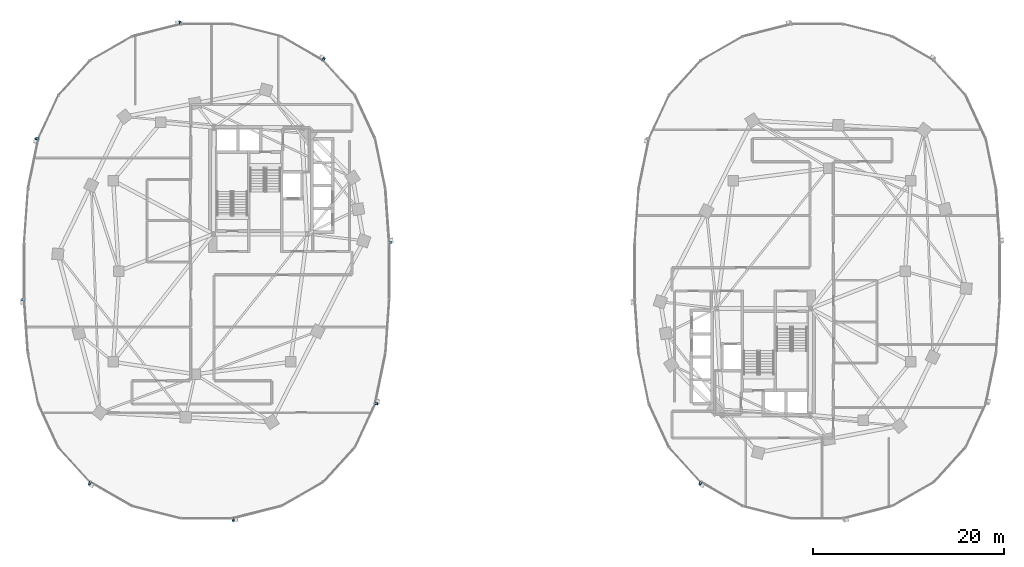
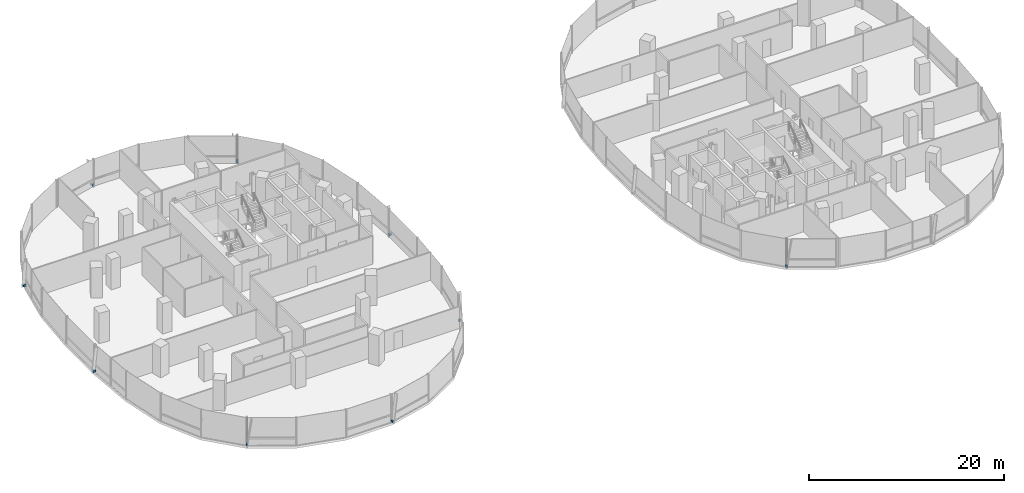
# One storey, part 15 of 21: 9 discrete accessories.
"""IFC4 building model written with IfcOpenShell, lengths in metres."""

from ifc_helpers import new_model, si_unit, direction, frame, origin, origin_2d, place, context, subcontext, project, spatial, rectangle, extrude, material, type_object, element, save


model = new_model("IFC4")

# Units and contexts
model_context = context("Model", 3, precision=1e-05, world=origin(), true_north=direction((0.0, 1.0)))
body_context = subcontext(model_context, "Body", "Model", "MODEL_VIEW")
ifc_project = project(units=[si_unit("LENGTHUNIT", "METRE"), si_unit("AREAUNIT", "SQUARE_METRE"), si_unit("VOLUMEUNIT", "CUBIC_METRE"), si_unit("PLANEANGLEUNIT", "RADIAN"), si_unit("MASSUNIT", "GRAM", prefix="KILO"), si_unit("THERMODYNAMICTEMPERATUREUNIT", "KELVIN"), si_unit("POWERUNIT", "WATT")], contexts=[model_context])

# Site, building, storey
site_placement = place(None, origin())
site = spatial("IfcSite", under=ifc_project, at=site_placement, CompositionType="ELEMENT")
building_placement = place(site_placement, origin())
building = spatial("IfcBuilding", under=site, at=building_placement, Name="Cundina Bronze Exchange", CompositionType="ELEMENT")
storey_placement = place(building_placement, frame((0.0, 0.0, 62.0)))
storey = spatial("IfcBuildingStorey", under=building, at=storey_placement, Name="L15", CompositionType="ELEMENT", Elevation=62.0)

# Discrete accessories
ifc_material = material(Name="Anodised Bronze Aluminium 6063-T6", Category="aluminium")
discrete_accessory_type = type_object("IfcDiscreteAccessoryType", Name="ACC-BRK-FIN", PredefinedType="BRACKET", material=ifc_material)
for number, where, z_axis, x_axis, name in (
    (1, (-12.735595703125, 2.986083984375, 0.10009765625), (0.0, 0.0, 1.0), (-0.070278787473, 0.997527389113, 0.0), "L15 Fin Support Bracket 1"),
    (2, (-19.740478515625, 22.21875, 0.10009765625), (0.0, 0.0, 1.0), (-0.867105478933, 0.498124571171, 0.0), "L15 Fin Support Bracket 5"),
    (3, (-34.76025390625, 26.03173828125, 0.10009765625), (0.0, 0.0, 1.0), (-0.969488149345, -0.245138182011, 0.0), "L15 Fin Support Bracket 1"),
    (4, (-49.788330078125, 13.8896484375, 0.10009765625), (0.0, 0.0, 1.0), (-0.201419845156, -0.979505000486, 0.0), "L15 Fin Support Bracket 5"),
    (5, (-51.264404296875, -2.986083984375, 0.10009765625), (0.0, 0.0, 1.0), (0.070278787473, -0.997527389113, 0.0), "L15 Fin Support Bracket 1"),
    (6, (-44.259521484375, -22.21875, 0.10009765625), (0.0, 0.0, 1.0), (0.867105478933, -0.498124571171, 0.0), "L15 Fin Support Bracket 5"),
    (7, (-29.23974609375, -26.03173828125, 0.10009765625), (0.0, 0.0, 1.0), (0.969488149345, 0.245138182011, 0.0), "L15 Fin Support Bracket 1"),
    (8, (-14.211669921875, -13.8896484375, 0.10009765625), (0.0, 0.0, 1.0), (0.201419845156, 0.979505000486, 0.0), "L15 Fin Support Bracket 5"),
    (9, (19.740478515625, -22.21875, 0.10009765625), (0.0, 0.0, 1.0), (0.867105478933, -0.498124571171, 0.0), "L15 Fin Support Bracket 5"),
):
    element("IfcDiscreteAccessory", number, at=place(storey_placement, frame(where, z_axis=z_axis, x_axis=x_axis)), inside=storey, type_object=discrete_accessory_type, Name=name, PredefinedType="BRACKET", context=body_context, shape_type="SweptSolid", body=[
        extrude(rectangle(XDim=0.219970703125, YDim=0.320068359375, at=origin_2d()), origin(), (0.0, 0.0, 1.0), 0.239990234375),
    ])

save(model, "model.ifc")
